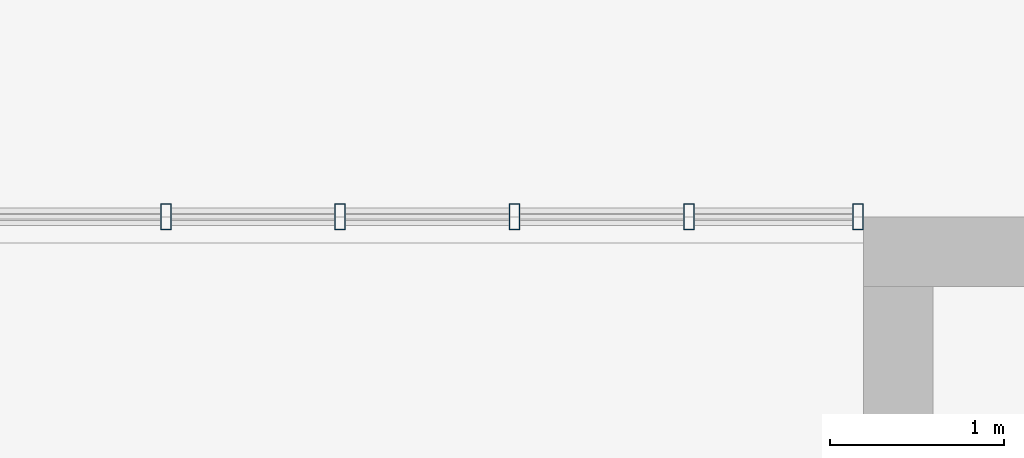
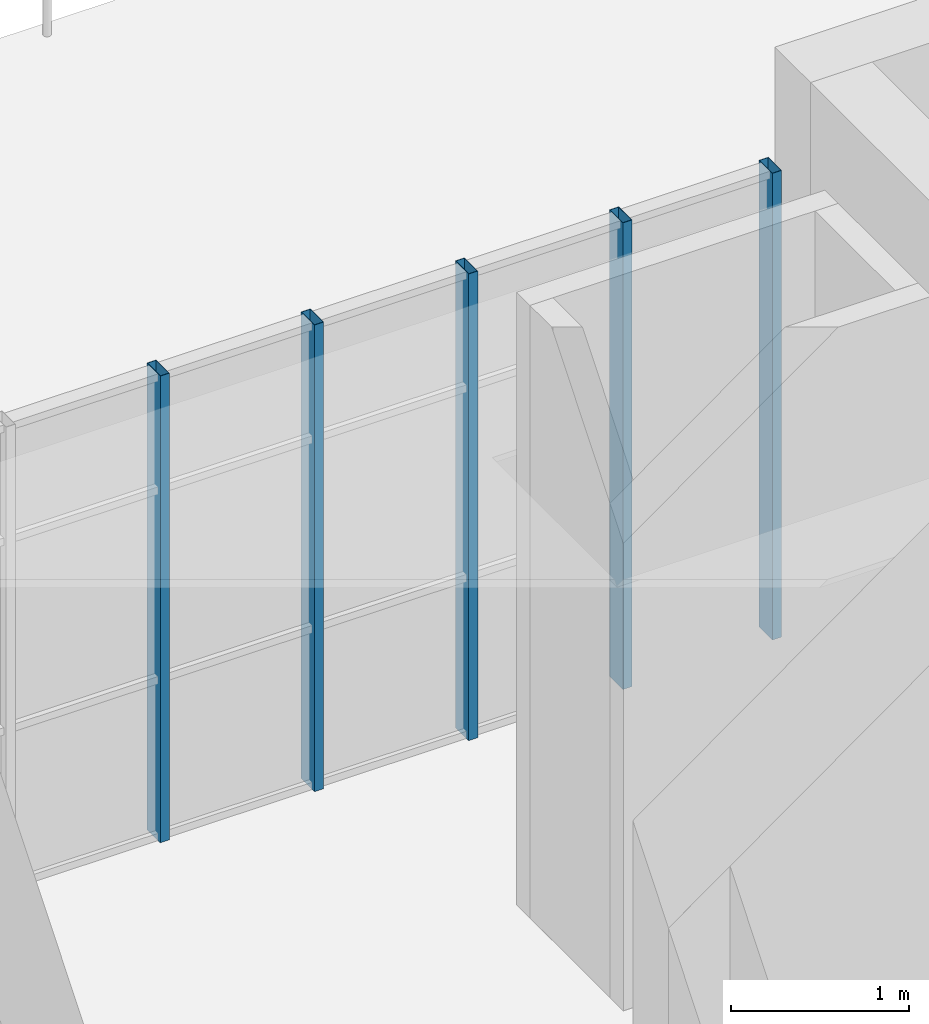
# One storey, part 57 of 101: 5 members, 1 element without a shape of its own.
"""IFC4 building model written with IfcOpenShell, lengths in metres."""

from ifc_helpers import new_model, si_unit, direction, frame, origin, origin_2d, place, context, subcontext, project, spatial, hollow_rectangle, extrude, material, material_profile, profile_set, type_object, element, aggregate, save


model = new_model("IFC4")

# Units and contexts
model_context = context("Model", 3, precision=1e-05, world=origin(), true_north=direction((0.0, 1.0)))
body_context = subcontext(model_context, "Body", "Model", "MODEL_VIEW")
ifc_project = project(units=[si_unit("LENGTHUNIT", "METRE"), si_unit("AREAUNIT", "SQUARE_METRE"), si_unit("VOLUMEUNIT", "CUBIC_METRE"), si_unit("PLANEANGLEUNIT", "RADIAN"), si_unit("MASSUNIT", "GRAM", prefix="KILO")], contexts=[model_context])

# Site, building, storey
site_placement = place(None, origin())
site = spatial("IfcSite", under=ifc_project, at=site_placement, CompositionType="ELEMENT")
building_placement = place(site_placement, origin())
building = spatial("IfcBuilding", under=site, at=building_placement, Name="Laocheng Heights Fire and Rescue Headquarters", CompositionType="ELEMENT")
storey_placement = place(building_placement, frame((0.0, 0.0, 8.39990234375)))
storey = spatial("IfcBuildingStorey", under=building, at=storey_placement, Name="L02", CompositionType="ELEMENT", Elevation=8.39990234375)

# Curtain wall, members
ifc_material_1 = material(Name="Dark anodised aluminium unitised curtain wall, low-e double glazing", Category="aluminium")
curtain_wall_type = type_object("IfcCurtainWallType", Name="CW 6000 x 3200 HQ NORTH GLAZING", PredefinedType="NOTDEFINED", material=ifc_material_1)
curtain_wall_placement = place(storey_placement, origin())
curtain_wall = element("IfcCurtainWall", 1, at=curtain_wall_placement, inside=storey, type_object=curtain_wall_type, Name="X20-X HQ NORTH L02", PredefinedType="NOTDEFINED")
ifc_material_2 = material(Name="Dark anodised aluminium 6063-T5 extrusion", Category="aluminium")
ifc_material_profile = material_profile(ifc_material_2, hollow_rectangle(XDim=0.14990234375, YDim=0.06005859375, WallThickness=0.0029296875, at=origin_2d()), Name="AL MULLION 150x60x3 HQ NORTH GLAZING")
ifc_profile_set = profile_set([ifc_material_profile], Name="Dark anodised aluminium 6063-T5 extrusion")
member_type = type_object("IfcMemberType", Name="AL MULLION 150x60x3 HQ NORTH GLAZING", PredefinedType="MULLION", material=ifc_profile_set)
member_1_placement = place(storey_placement, frame((74.0, 72.0, 0.0), z_axis=(0.0, 0.0, 1.0), x_axis=(0.0, 1.0, 0.0)))
member_1 = element("IfcMember", 2, at=member_1_placement, type_object=member_type, Name="X20-X mullion 3", PredefinedType="MULLION", context=body_context, shape_type="SweptSolid", body=[
    extrude(hollow_rectangle(XDim=0.14990234375, YDim=0.06005859375, WallThickness=0.0029296875, at=origin_2d()), origin(), (0.0, 0.0, 1.0), 3.2001953125),
])
member_2_placement = place(storey_placement, frame((75.0, 72.0, 0.0), z_axis=(0.0, 0.0, 1.0), x_axis=(0.0, 1.0, 0.0)))
member_2 = element("IfcMember", 3, at=member_2_placement, type_object=member_type, Name="X20-X mullion 4", PredefinedType="MULLION", context=body_context, shape_type="SweptSolid", body=[
    extrude(hollow_rectangle(XDim=0.14990234375, YDim=0.06005859375, WallThickness=0.0029296875, at=origin_2d()), origin(), (0.0, 0.0, 1.0), 3.2001953125),
])
member_3_placement = place(storey_placement, frame((76.0, 72.0, 0.0), z_axis=(0.0, 0.0, 1.0), x_axis=(0.0, 1.0, 0.0)))
member_3 = element("IfcMember", 4, at=member_3_placement, type_object=member_type, Name="X20-X mullion 5", PredefinedType="MULLION", context=body_context, shape_type="SweptSolid", body=[
    extrude(hollow_rectangle(XDim=0.14990234375, YDim=0.06005859375, WallThickness=0.0029296875, at=origin_2d()), origin(), (0.0, 0.0, 1.0), 3.2001953125),
])
member_4_placement = place(storey_placement, frame((77.0, 72.0, 0.0), z_axis=(0.0, 0.0, 1.0), x_axis=(0.0, 1.0, 0.0)))
member_4 = element("IfcMember", 5, at=member_4_placement, type_object=member_type, Name="X20-X mullion 6", PredefinedType="MULLION", context=body_context, shape_type="SweptSolid", body=[
    extrude(hollow_rectangle(XDim=0.14990234375, YDim=0.06005859375, WallThickness=0.0029296875, at=origin_2d()), origin(), (0.0, 0.0, 1.0), 3.2001953125),
])
member_5_placement = place(storey_placement, frame((77.969970703125, 72.0, 0.0), z_axis=(0.0, 0.0, 1.0), x_axis=(0.0, 1.0, 0.0)))
member_5 = element("IfcMember", 6, at=member_5_placement, type_object=member_type, Name="X20-X mullion 7", PredefinedType="MULLION", context=body_context, shape_type="SweptSolid", body=[
    extrude(hollow_rectangle(XDim=0.14990234375, YDim=0.06005859375, WallThickness=0.0029296875, at=origin_2d()), origin(), (0.0, 0.0, 1.0), 3.2001953125),
])
aggregate(curtain_wall, [member_1, member_2, member_3, member_4, member_5])

save(model, "model.ifc")
